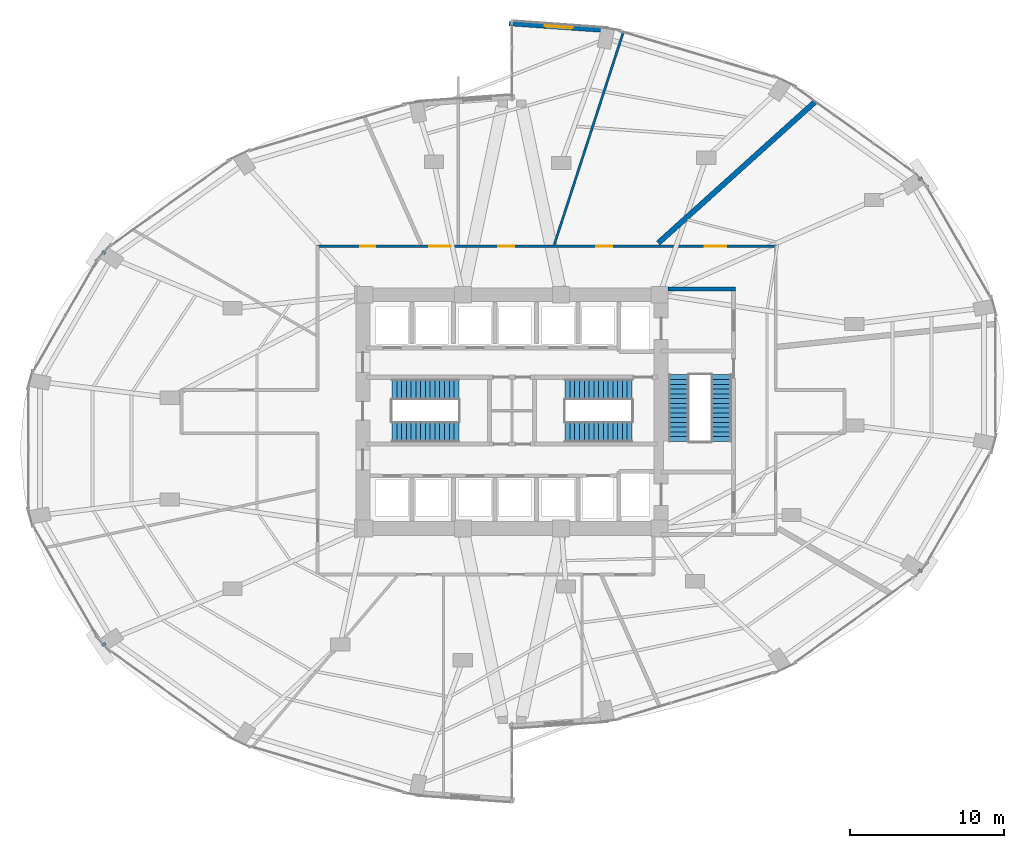
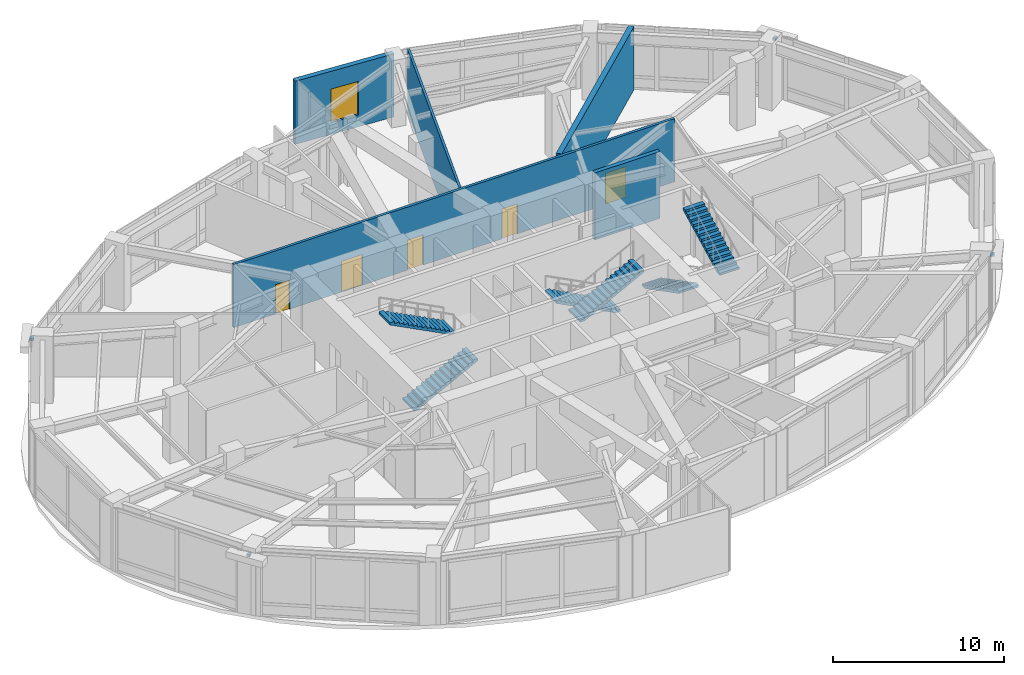
# One storey, part 23 of 24: 6 stair flights, 5 doors, 5 walls, 4 discrete accessories, 1 window, 6 openings, 3 elements without a shape of their own.
"""IFC4 building model written with IfcOpenShell, lengths in metres."""

from ifc_helpers import new_model, si_unit, direction, frame, frame_2d, origin, origin_2d, place, context, subcontext, project, spatial, polyline, rectangle, outline, extrude, material, layer, layer_set, type_object, element, fill, aggregate, save


model = new_model("IFC4")

# Units and contexts
model_context = context("Model", 3, precision=1e-05, world=origin(), true_north=direction((0.0, 1.0)))
body_context = subcontext(model_context, "Body", "Model", "MODEL_VIEW")
ifc_project = project(units=[si_unit("LENGTHUNIT", "METRE"), si_unit("AREAUNIT", "SQUARE_METRE"), si_unit("VOLUMEUNIT", "CUBIC_METRE"), si_unit("PLANEANGLEUNIT", "RADIAN"), si_unit("MASSUNIT", "GRAM", prefix="KILO")], contexts=[model_context])

# Site, building, storey
site_placement = place(None, origin())
site = spatial("IfcSite", under=ifc_project, at=site_placement, CompositionType="ELEMENT")
building_placement = place(site_placement, origin())
building = spatial("IfcBuilding", under=site, at=building_placement, Name="Lazwardi Medical Tower", CompositionType="ELEMENT")
storey_placement = place(building_placement, frame((0.0, 0.0, 10.800048828125)))
storey = spatial("IfcBuildingStorey", under=building, at=storey_placement, Name="L02", CompositionType="ELEMENT", Elevation=10.800048828125)

# Wall, openings, doors
ifc_material_1 = material(Name="Fire-rated gypsum board on steel stud", Category="steel")
ifc_layer_1 = layer(ifc_material_1, 0.179931640625)
ifc_layer_set_1 = layer_set([ifc_layer_1], Name="Fire-rated gypsum board on steel stud")
wall_type_1 = type_object("IfcWallType", Name="WL-COR-180", PredefinedType="PARTITIONING", material=ifc_layer_set_1)
wall_1_placement = place(storey_placement, frame((23.31005859375, 38.75, 0.0), z_axis=(0.0, 0.0, 1.0), x_axis=(1.0, 0.0, 0.0)))
wall_1 = element("IfcWall", 1, at=wall_1_placement, inside=storey, type_object=wall_type_1, Name="L02 Corridor partition 4", PredefinedType="PARTITIONING", context=body_context, shape_type="SweptSolid", body=[
    extrude(rectangle(XDim=29.8798828125, YDim=0.179931640625, at=frame_2d((14.93994140625, 0.0))), origin(), (0.0, 0.0, 1.0), 4.52001953125),
])
opening_1_placement = place(wall_1_placement, frame((25.211181640625, 0.0, 0.0)))
opening_1 = element("IfcOpeningElement", 2, at=opening_1_placement, cuts=wall_1, Name="Opening D-L02-015", PredefinedType="OPENING", context=body_context, shape_type="SweptSolid", body=[
    extrude(rectangle(XDim=1.39990234375, YDim=2.199951171875, at=frame_2d((0.699951171875, 1.10009765625))), frame((0.0, 0.099853515625, 0.0), z_axis=(0.0, -1.0, 0.0), x_axis=(1.0, 0.0, 0.0)), (0.0, 0.0, 1.0), 0.199951171875),
])
opening_2_placement = place(wall_1_placement, frame((18.157958984375, 0.0, 0.0)))
opening_2 = element("IfcOpeningElement", 3, at=opening_2_placement, cuts=wall_1, Name="Opening D-L02-016", PredefinedType="OPENING", context=body_context, shape_type="SweptSolid", body=[
    extrude(rectangle(XDim=1.050048828125, YDim=2.14990234375, at=frame_2d((0.52490234375, 1.074951171875))), frame((0.0, 0.099853515625, 0.0), z_axis=(0.0, -1.0, 0.0), x_axis=(1.0, 0.0, 0.0)), (0.0, 0.0, 1.0), 0.199951171875),
])
opening_3_placement = place(wall_1_placement, frame((11.784912109375, 0.0, 0.0)))
opening_3 = element("IfcOpeningElement", 4, at=opening_3_placement, cuts=wall_1, Name="Opening D-L02-017", PredefinedType="OPENING", context=body_context, shape_type="SweptSolid", body=[
    extrude(rectangle(XDim=1.050048828125, YDim=2.14990234375, at=frame_2d((0.52490234375, 1.074951171875))), frame((0.0, 0.099853515625, 0.0), z_axis=(0.0, -1.0, 0.0), x_axis=(1.0, 0.0, 0.0)), (0.0, 0.0, 1.0), 0.199951171875),
])
opening_4_placement = place(wall_1_placement, frame((7.314208984375, 0.0, 0.0)))
opening_4 = element("IfcOpeningElement", 5, at=opening_4_placement, cuts=wall_1, Name="Opening D-L02-018", PredefinedType="OPENING", context=body_context, shape_type="SweptSolid", body=[
    extrude(rectangle(XDim=1.39990234375, YDim=2.199951171875, at=frame_2d((0.699951171875, 1.10009765625))), frame((0.0, 0.099853515625, 0.0), z_axis=(0.0, -1.0, 0.0), x_axis=(1.0, 0.0, 0.0)), (0.0, 0.0, 1.0), 0.199951171875),
])
opening_5_placement = place(wall_1_placement, frame((2.832275390625, 0.0, 0.0)))
opening_5 = element("IfcOpeningElement", 6, at=opening_5_placement, cuts=wall_1, Name="Opening D-L02-019", PredefinedType="OPENING", context=body_context, shape_type="SweptSolid", body=[
    extrude(rectangle(XDim=0.949951171875, YDim=2.10009765625, at=frame_2d((0.47509765625, 1.050048828125))), frame((0.0, 0.099853515625, 0.0), z_axis=(0.0, -1.0, 0.0), x_axis=(1.0, 0.0, 0.0)), (0.0, 0.0, 1.0), 0.199951171875),
])
ifc_material_2 = material(Name="Anti-microbial laminate hospital leaf")
door_type_1 = type_object("IfcDoorType", Name="DR-BED-1400", OperationType="NOTDEFINED", PredefinedType="DOOR", material=ifc_material_2)
door_1_placement = place(opening_1_placement, origin())
door_1 = element("IfcDoor", 7, at=door_1_placement, inside=storey, type_object=door_type_1, Name="L02 Family Waiting Lounge Door 07", OperationType="SINGLE_SWING_LEFT", OverallHeight=2.199951171875, OverallWidth=1.39990234375, PredefinedType="DOOR", context=body_context, shape_type="SweptSolid", body=[
    extrude(rectangle(XDim=1.39990234375, YDim=2.199951171875, at=frame_2d((0.699951171875, 1.10009765625))), frame((0.0, 0.02490234375, 0.0), z_axis=(0.0, -1.0, 0.0), x_axis=(1.0, 0.0, 0.0)), (0.0, 0.0, 1.0), 0.050048828125),
])
fill(opening_1, door_1)
door_2_placement = place(opening_4_placement, origin())
door_2 = element("IfcDoor", 8, at=door_2_placement, inside=storey, type_object=door_type_1, Name="L02 Emergency Trauma Resuscitation Door 10", OperationType="SINGLE_SWING_RIGHT", OverallHeight=2.199951171875, OverallWidth=1.39990234375, PredefinedType="DOOR", context=body_context, shape_type="SweptSolid", body=[
    extrude(rectangle(XDim=1.39990234375, YDim=2.199951171875, at=frame_2d((0.699951171875, 1.10009765625))), frame((0.0, 0.02490234375, 0.0), z_axis=(0.0, -1.0, 0.0), x_axis=(1.0, 0.0, 0.0)), (0.0, 0.0, 1.0), 0.050048828125),
])
fill(opening_4, door_2)
door_type_2 = type_object("IfcDoorType", Name="DR-CLN-1050", OperationType="NOTDEFINED", PredefinedType="DOOR", material=ifc_material_2)
door_3_placement = place(opening_2_placement, origin())
door_3 = element("IfcDoor", 9, at=door_3_placement, inside=storey, type_object=door_type_2, Name="L02 Clean Utility Room Door 08", OperationType="SINGLE_SWING_RIGHT", OverallHeight=2.14990234375, OverallWidth=1.050048828125, PredefinedType="DOOR", context=body_context, shape_type="SweptSolid", body=[
    extrude(rectangle(XDim=1.050048828125, YDim=2.14990234375, at=frame_2d((0.52490234375, 1.074951171875))), frame((0.0, 0.02490234375, 0.0), z_axis=(0.0, -1.0, 0.0), x_axis=(1.0, 0.0, 0.0)), (0.0, 0.0, 1.0), 0.050048828125),
])
fill(opening_2, door_3)
door_4_placement = place(opening_3_placement, origin())
door_4 = element("IfcDoor", 10, at=door_4_placement, inside=storey, type_object=door_type_2, Name="L02 Clean Utility Room Door 09", OperationType="SINGLE_SWING_LEFT", OverallHeight=2.14990234375, OverallWidth=1.050048828125, PredefinedType="DOOR", context=body_context, shape_type="SweptSolid", body=[
    extrude(rectangle(XDim=1.050048828125, YDim=2.14990234375, at=frame_2d((0.52490234375, 1.074951171875))), frame((0.0, 0.02490234375, 0.0), z_axis=(0.0, -1.0, 0.0), x_axis=(1.0, 0.0, 0.0)), (0.0, 0.0, 1.0), 0.050048828125),
])
fill(opening_3, door_4)
ifc_material_3 = material(Name="Moisture-resistant laminate door leaf")
door_type_3 = type_object("IfcDoorType", Name="DR-ENS-950", OperationType="NOTDEFINED", PredefinedType="DOOR", material=ifc_material_3)
door_5_placement = place(opening_5_placement, origin())
door_5 = element("IfcDoor", 11, at=door_5_placement, inside=storey, type_object=door_type_3, Name="L02 Diagnostic Imaging Suite Door 11", OperationType="SINGLE_SWING_LEFT", OverallHeight=2.10009765625, OverallWidth=0.949951171875, PredefinedType="DOOR", context=body_context, shape_type="SweptSolid", body=[
    extrude(rectangle(XDim=0.949951171875, YDim=2.10009765625, at=frame_2d((0.47509765625, 1.050048828125))), frame((0.0, 0.02490234375, 0.0), z_axis=(0.0, -1.0, 0.0), x_axis=(1.0, 0.0, 0.0)), (0.0, 0.0, 1.0), 0.050048828125),
])
fill(opening_5, door_5)

# Wall, opening, window
ifc_material_4 = material(Name="Precast concrete C45/55", Category="concrete")
ifc_layer_2 = layer(ifc_material_4, 0.320068359375)
ifc_layer_set_2 = layer_set([ifc_layer_2], Name="Precast concrete C45/55")
wall_type_2 = type_object("IfcWallType", Name="WL-IWAN-320", PredefinedType="SOLIDWALL", material=ifc_layer_set_2)
wall_2_placement = place(storey_placement, frame((42.26171875, 52.797607421875, 0.0), z_axis=(0.0, 0.0, 1.0), x_axis=(-0.99751367159, 0.070473221795, 0.0)))
wall_2 = element("IfcWall", 12, at=wall_2_placement, inside=storey, type_object=wall_type_2, Name="L02 Iwan Portal Return Wall NE_ret", PredefinedType="SOLIDWALL", context=body_context, shape_type="SweptSolid", body=[
    extrude(rectangle(XDim=6.45751953125, YDim=0.320068359375, at=frame_2d((3.228759765625, 0.0))), origin(), (0.0, 0.0, 1.0), 4.52001953125),
])
opening_6_placement = place(wall_2_placement, frame((2.32861328125, 0.0, 0.85009765625)))
opening_6 = element("IfcOpeningElement", 13, at=opening_6_placement, cuts=wall_2, Name="Opening WN-03", PredefinedType="OPENING", context=body_context, shape_type="SweptSolid", body=[
    extrude(rectangle(XDim=1.800048828125, YDim=2.39990234375, at=frame_2d((0.89990234375, 1.199951171875))), frame((0.0, 0.169921875, 0.0), z_axis=(0.0, -1.0, 0.0), x_axis=(1.0, 0.0, 0.0)), (0.0, 0.0, 1.0), 0.340087890625),
])
ifc_material_5 = material(Name="Laminated acoustic bronze double glazing", Category="glass")
window_type = type_object("IfcWindowType", Name="WIN-POD-1800", PartitioningType="SINGLE_PANEL", PredefinedType="WINDOW", material=ifc_material_5)
window_placement = place(opening_6_placement, origin())
window = element("IfcWindow", 14, at=window_placement, inside=storey, type_object=window_type, Name="L02 Iwan Slot Window NE_ret", OverallHeight=2.39990234375, OverallWidth=1.800048828125, PartitioningType="SINGLE_PANEL", PredefinedType="WINDOW", context=body_context, shape_type="SweptSolid", body=[
    extrude(rectangle(XDim=1.800048828125, YDim=2.39990234375, at=frame_2d((0.89990234375, 1.199951171875))), frame((0.0, 0.030029296875, 0.0), z_axis=(0.0, -1.0, 0.0), x_axis=(1.0, 0.0, 0.0)), (0.0, 0.0, 1.0), 0.06005859375),
])
fill(opening_6, window)

# Walls
ifc_material_6 = material(Name="Lead-lined barium plaster blockwork", Category="masonry")
ifc_layer_3 = layer(ifc_material_6, 0.35009765625)
ifc_layer_set_3 = layer_set([ifc_layer_3], Name="Lead-lined barium plaster blockwork")
wall_type_3 = type_object("IfcWallType", Name="WL-RAD-350", PredefinedType="SOLIDWALL", material=ifc_layer_set_3)
wall_3_placement = place(storey_placement, frame((45.50927734375, 38.962158203125, 0.0), z_axis=(0.0, 0.0, 1.0), x_axis=(0.743143036481, 0.669132593236, 0.0)))
element("IfcWall", 15, at=wall_3_placement, inside=storey, type_object=wall_type_3, Name="L02 Room partition 4", PredefinedType="SOLIDWALL", context=body_context, shape_type="SweptSolid", body=[
    extrude(rectangle(XDim=13.7392578125, YDim=0.35009765625, at=frame_2d((6.86962890625, 0.0))), origin(), (0.0, 0.0, 1.0), 4.52001953125),
])
ifc_material_7 = material(Name="Concrete C50/60", Category="concrete")
ifc_layer_4 = layer(ifc_material_7, 0.27001953125)
ifc_layer_set_4 = layer_set([ifc_layer_4], Name="Concrete C50/60")
wall_type_4 = type_object("IfcWallType", Name="WL-STR-250", PredefinedType="SHEAR", material=ifc_layer_set_4)
wall_4_placement = place(storey_placement, frame((46.14990234375, 35.97998046875, 0.0), z_axis=(0.0, 0.0, 1.0), x_axis=(1.0, 0.0, 0.0)))
element("IfcWall", 16, at=wall_4_placement, inside=storey, type_object=wall_type_4, Name="L02 FFL-N North shear wall SW-S1", PredefinedType="SHEAR", context=body_context, shape_type="SweptSolid", body=[
    extrude(rectangle(XDim=4.400146484375, YDim=0.27001953125, at=frame_2d((2.2001953125, 0.0))), origin(), (0.0, 0.0, 1.0), 4.800048828125),
])
ifc_material_8 = material(Name="Acoustic gypsum board partition")
ifc_layer_5 = layer(ifc_material_8, 0.14990234375)
ifc_layer_set_5 = layer_set([ifc_layer_5], Name="Acoustic gypsum board partition")
wall_type_5 = type_object("IfcWallType", Name="WL-WRD-150", PredefinedType="PARTITIONING", material=ifc_layer_set_5)
wall_5_placement = place(storey_placement, frame((38.74951171875, 38.862060546875, 0.0), z_axis=(0.0, 0.0, 1.0), x_axis=(0.309009259577, 0.951059029449, 0.0)))
element("IfcWall", 17, at=wall_5_placement, inside=storey, type_object=wall_type_5, Name="L02 Room partition 5", PredefinedType="PARTITIONING", context=body_context, shape_type="SweptSolid", body=[
    extrude(rectangle(XDim=14.517578125, YDim=0.14990234375, at=frame_2d((7.2587890625, 0.0))), origin(), (0.0, 0.0, 1.0), 4.52001953125),
])

# Stair, stair flights
ifc_material_9 = material(Name="Concrete C45/55", Category="concrete")
stair_type = type_object("IfcStairType", Name="STR-POD", PredefinedType="HALF_TURN_STAIR", material=ifc_material_9)
stair_1_placement = place(storey_placement, origin())
stair_1 = element("IfcStair", 18, at=stair_1_placement, inside=storey, type_object=stair_type, Name="L02 Protected Exit Stair ST1", PredefinedType="HALF_TURN_STAIR")
stair_flight_type = type_object("IfcStairFlightType", Name="FLT-POD", PredefinedType="STRAIGHT", material=ifc_material_9)
stair_flight_1_placement = place(storey_placement, frame((28.199951171875, 26.679931640625, 0.0), z_axis=(0.0, 0.0, 1.0), x_axis=(1.0, 0.0, 0.0)))
stair_flight_1 = element("IfcStairFlight", 19, at=stair_flight_1_placement, type_object=stair_flight_type, Name="ST1 flight 1", NumberOfRisers=15, NumberOfTreads=14, PredefinedType="STRAIGHT", RiserHeight=0.16, TreadLength=0.31, context=body_context, shape_type="SweptSolid", body=[
    extrude(outline(polyline([(0.0, 0.0), (0.0, 0.159912109375), (0.31005859375, 0.159912109375), (0.31005859375, 0.320068359375), (0.6201171875, 0.320068359375), (0.6201171875, 0.47998046875), (0.929931640625, 0.47998046875), (0.929931640625, 0.639892578125), (1.239990234375, 0.639892578125), (1.239990234375, 0.800048828125), (1.550048828125, 0.800048828125), (1.550048828125, 0.9599609375), (1.860107421875, 0.9599609375), (1.860107421875, 1.1201171875), (2.169921875, 1.1201171875), (2.169921875, 1.280029296875), (2.47998046875, 1.280029296875), (2.47998046875, 1.43994140625), (2.7900390625, 1.43994140625), (2.7900390625, 1.60009765625), (3.10009765625, 1.60009765625), (3.10009765625, 1.760009765625), (3.409912109375, 1.760009765625), (3.409912109375, 1.919921875), (3.719970703125, 1.919921875), (3.719970703125, 2.080078125), (4.030029296875, 2.080078125), (4.030029296875, 2.239990234375), (4.340087890625, 2.239990234375), (4.340087890625, 2.39990234375), (4.340087890625, 2.0712890625), (0.326904296875, 0.0), (0.0, 0.0)])), frame((0.0, 0.66015625, 0.0), z_axis=(0.0, -1.0, 0.0), x_axis=(1.0, 0.0, 0.0)), (0.0, 0.0, 1.0), 1.320068359375),
])
stair_flight_2_placement = place(storey_placement, frame((32.5400390625, 29.43994140625, 2.39990234375), z_axis=(0.0, 0.0, 1.0), x_axis=(-1.0, 0.0, 0.0)))
stair_flight_2 = element("IfcStairFlight", 20, at=stair_flight_2_placement, type_object=stair_flight_type, Name="ST1 flight 2", NumberOfRisers=15, NumberOfTreads=14, PredefinedType="STRAIGHT", RiserHeight=0.16, TreadLength=0.31, context=body_context, shape_type="SweptSolid", body=[
    extrude(outline(polyline([(0.0, 0.0), (0.0, 0.159912109375), (0.31005859375, 0.159912109375), (0.31005859375, 0.320068359375), (0.6201171875, 0.320068359375), (0.6201171875, 0.47998046875), (0.929931640625, 0.47998046875), (0.929931640625, 0.639892578125), (1.239990234375, 0.639892578125), (1.239990234375, 0.800048828125), (1.550048828125, 0.800048828125), (1.550048828125, 0.9599609375), (1.860107421875, 0.9599609375), (1.860107421875, 1.1201171875), (2.169921875, 1.1201171875), (2.169921875, 1.280029296875), (2.47998046875, 1.280029296875), (2.47998046875, 1.43994140625), (2.7900390625, 1.43994140625), (2.7900390625, 1.60009765625), (3.10009765625, 1.60009765625), (3.10009765625, 1.760009765625), (3.409912109375, 1.760009765625), (3.409912109375, 1.919921875), (3.719970703125, 1.919921875), (3.719970703125, 2.080078125), (4.030029296875, 2.080078125), (4.030029296875, 2.239990234375), (4.340087890625, 2.239990234375), (4.340087890625, 2.39990234375), (4.340087890625, 2.0712890625), (0.326904296875, 0.0), (0.0, 0.0)])), frame((0.0, 0.66015625, 0.0), z_axis=(0.0, -1.0, 0.0), x_axis=(1.0, 0.0, 0.0)), (0.0, 0.0, 1.0), 1.320068359375),
])
aggregate(stair_1, [stair_flight_1, stair_flight_2])

stair_2_placement = place(storey_placement, origin())
stair_2 = element("IfcStair", 21, at=stair_2_placement, inside=storey, type_object=stair_type, Name="L02 Protected Exit Stair ST2", PredefinedType="HALF_TURN_STAIR")
stair_flight_3_placement = place(storey_placement, frame((43.800048828125, 29.43994140625, 0.0), z_axis=(0.0, 0.0, 1.0), x_axis=(-1.0, 0.0, 0.0)))
stair_flight_3 = element("IfcStairFlight", 22, at=stair_flight_3_placement, type_object=stair_flight_type, Name="ST2 flight 1", NumberOfRisers=15, NumberOfTreads=14, PredefinedType="STRAIGHT", RiserHeight=0.16, TreadLength=0.31, context=body_context, shape_type="SweptSolid", body=[
    extrude(outline(polyline([(0.0, 0.0), (0.0, 0.159912109375), (0.31005859375, 0.159912109375), (0.31005859375, 0.320068359375), (0.6201171875, 0.320068359375), (0.6201171875, 0.47998046875), (0.929931640625, 0.47998046875), (0.929931640625, 0.639892578125), (1.239990234375, 0.639892578125), (1.239990234375, 0.800048828125), (1.550048828125, 0.800048828125), (1.550048828125, 0.9599609375), (1.860107421875, 0.9599609375), (1.860107421875, 1.1201171875), (2.169921875, 1.1201171875), (2.169921875, 1.280029296875), (2.47998046875, 1.280029296875), (2.47998046875, 1.43994140625), (2.7900390625, 1.43994140625), (2.7900390625, 1.60009765625), (3.10009765625, 1.60009765625), (3.10009765625, 1.760009765625), (3.409912109375, 1.760009765625), (3.409912109375, 1.919921875), (3.719970703125, 1.919921875), (3.719970703125, 2.080078125), (4.030029296875, 2.080078125), (4.030029296875, 2.239990234375), (4.340087890625, 2.239990234375), (4.340087890625, 2.39990234375), (4.340087890625, 2.0712890625), (0.326904296875, 0.0), (0.0, 0.0)])), frame((0.0, 0.66015625, 0.0), z_axis=(0.0, -1.0, 0.0), x_axis=(1.0, 0.0, 0.0)), (0.0, 0.0, 1.0), 1.320068359375),
])
stair_flight_4_placement = place(storey_placement, frame((39.4599609375, 26.679931640625, 2.39990234375), z_axis=(0.0, 0.0, 1.0), x_axis=(1.0, 0.0, 0.0)))
stair_flight_4 = element("IfcStairFlight", 23, at=stair_flight_4_placement, type_object=stair_flight_type, Name="ST2 flight 2", NumberOfRisers=15, NumberOfTreads=14, PredefinedType="STRAIGHT", RiserHeight=0.16, TreadLength=0.31, context=body_context, shape_type="SweptSolid", body=[
    extrude(outline(polyline([(0.0, 0.0), (0.0, 0.159912109375), (0.31005859375, 0.159912109375), (0.31005859375, 0.320068359375), (0.6201171875, 0.320068359375), (0.6201171875, 0.47998046875), (0.929931640625, 0.47998046875), (0.929931640625, 0.639892578125), (1.239990234375, 0.639892578125), (1.239990234375, 0.800048828125), (1.550048828125, 0.800048828125), (1.550048828125, 0.9599609375), (1.860107421875, 0.9599609375), (1.860107421875, 1.1201171875), (2.169921875, 1.1201171875), (2.169921875, 1.280029296875), (2.47998046875, 1.280029296875), (2.47998046875, 1.43994140625), (2.7900390625, 1.43994140625), (2.7900390625, 1.60009765625), (3.10009765625, 1.60009765625), (3.10009765625, 1.760009765625), (3.409912109375, 1.760009765625), (3.409912109375, 1.919921875), (3.719970703125, 1.919921875), (3.719970703125, 2.080078125), (4.030029296875, 2.080078125), (4.030029296875, 2.239990234375), (4.340087890625, 2.239990234375), (4.340087890625, 2.39990234375), (4.340087890625, 2.0712890625), (0.326904296875, 0.0), (0.0, 0.0)])), frame((0.0, 0.66015625, 0.0), z_axis=(0.0, -1.0, 0.0), x_axis=(1.0, 0.0, 0.0)), (0.0, 0.0, 1.0), 1.320068359375),
])
aggregate(stair_2, [stair_flight_3, stair_flight_4])

stair_3_placement = place(storey_placement, origin())
stair_3 = element("IfcStair", 24, at=stair_3_placement, inside=storey, type_object=stair_type, Name="L02 Protected Exit Stair ST3", PredefinedType="HALF_TURN_STAIR")
stair_flight_5_placement = place(storey_placement, frame((46.860107421875, 30.39990234375, 0.0), z_axis=(0.0, 0.0, 1.0), x_axis=(0.0, -1.0, 0.0)))
stair_flight_5 = element("IfcStairFlight", 25, at=stair_flight_5_placement, type_object=stair_flight_type, Name="ST3 flight 1", NumberOfRisers=15, NumberOfTreads=14, PredefinedType="STRAIGHT", RiserHeight=0.16, TreadLength=0.31, context=body_context, shape_type="SweptSolid", body=[
    extrude(outline(polyline([(0.0, 0.0), (0.0, 0.159912109375), (0.31005859375, 0.159912109375), (0.31005859375, 0.320068359375), (0.6201171875, 0.320068359375), (0.6201171875, 0.47998046875), (0.929931640625, 0.47998046875), (0.929931640625, 0.639892578125), (1.239990234375, 0.639892578125), (1.239990234375, 0.800048828125), (1.550048828125, 0.800048828125), (1.550048828125, 0.9599609375), (1.860107421875, 0.9599609375), (1.860107421875, 1.1201171875), (2.169921875, 1.1201171875), (2.169921875, 1.280029296875), (2.47998046875, 1.280029296875), (2.47998046875, 1.43994140625), (2.7900390625, 1.43994140625), (2.7900390625, 1.60009765625), (3.10009765625, 1.60009765625), (3.10009765625, 1.760009765625), (3.409912109375, 1.760009765625), (3.409912109375, 1.919921875), (3.719970703125, 1.919921875), (3.719970703125, 2.080078125), (4.030029296875, 2.080078125), (4.030029296875, 2.239990234375), (4.340087890625, 2.239990234375), (4.340087890625, 2.39990234375), (4.340087890625, 2.0712890625), (0.326904296875, 0.0), (0.0, 0.0)])), frame((0.0, 0.66015625, 0.0), z_axis=(0.0, -1.0, 0.0), x_axis=(1.0, 0.0, 0.0)), (0.0, 0.0, 1.0), 1.320068359375),
])
stair_flight_6_placement = place(storey_placement, frame((49.6201171875, 26.06005859375, 2.39990234375), z_axis=(0.0, 0.0, 1.0), x_axis=(0.0, 1.0, 0.0)))
stair_flight_6 = element("IfcStairFlight", 26, at=stair_flight_6_placement, type_object=stair_flight_type, Name="ST3 flight 2", NumberOfRisers=15, NumberOfTreads=14, PredefinedType="STRAIGHT", RiserHeight=0.16, TreadLength=0.31, context=body_context, shape_type="SweptSolid", body=[
    extrude(outline(polyline([(0.0, 0.0), (0.0, 0.159912109375), (0.31005859375, 0.159912109375), (0.31005859375, 0.320068359375), (0.6201171875, 0.320068359375), (0.6201171875, 0.47998046875), (0.929931640625, 0.47998046875), (0.929931640625, 0.639892578125), (1.239990234375, 0.639892578125), (1.239990234375, 0.800048828125), (1.550048828125, 0.800048828125), (1.550048828125, 0.9599609375), (1.860107421875, 0.9599609375), (1.860107421875, 1.1201171875), (2.169921875, 1.1201171875), (2.169921875, 1.280029296875), (2.47998046875, 1.280029296875), (2.47998046875, 1.43994140625), (2.7900390625, 1.43994140625), (2.7900390625, 1.60009765625), (3.10009765625, 1.60009765625), (3.10009765625, 1.760009765625), (3.409912109375, 1.760009765625), (3.409912109375, 1.919921875), (3.719970703125, 1.919921875), (3.719970703125, 2.080078125), (4.030029296875, 2.080078125), (4.030029296875, 2.239990234375), (4.340087890625, 2.239990234375), (4.340087890625, 2.39990234375), (4.340087890625, 2.0712890625), (0.326904296875, 0.0), (0.0, 0.0)])), frame((0.0, 0.66015625, 0.0), z_axis=(0.0, -1.0, 0.0), x_axis=(1.0, 0.0, 0.0)), (0.0, 0.0, 1.0), 1.320068359375),
])
aggregate(stair_3, [stair_flight_5, stair_flight_6])

# Discrete accessories
ifc_material_10 = material(Name="Steel S355", Category="steel")
discrete_accessory_type = type_object("IfcDiscreteAccessoryType", Name="ACC-BRK-01", PredefinedType="BRACKET", material=ifc_material_10)
for number, where, z_axis, x_axis, name in (
    (27, (62.55712890625, 17.6552734375, 4.18017578125), (0.0, 0.0, 1.0), (0.55557023302, 0.831469612303, 0.0), "L02 Podium Sunshade Bracket 1"),
    (28, (62.55712890625, 43.144775390625, 4.18017578125), (0.0, 0.0, 1.0), (-0.55557023302, 0.831469612303, 0.0), "L02 Podium Sunshade Bracket 2"),
    (29, (9.44287109375, 38.3447265625, 4.18017578125), (0.0, 0.0, 1.0), (-0.55557023302, -0.831469612303, 0.0), "L02 Podium Sunshade Bracket 3"),
    (30, (9.44287109375, 12.855224609375, 4.18017578125), (0.0, 0.0, 1.0), (0.55557023302, -0.831469612303, 0.0), "L02 Podium Sunshade Bracket 4"),
):
    element("IfcDiscreteAccessory", number, at=place(storey_placement, frame(where, z_axis=z_axis, x_axis=x_axis)), inside=storey, type_object=discrete_accessory_type, Name=name, PredefinedType="BRACKET", context=body_context, shape_type="SweptSolid", body=[
        extrude(rectangle(XDim=0.179931640625, YDim=0.25, at=origin_2d()), origin(), (0.0, 0.0, 1.0), 0.179931640625),
    ])

save(model, "model.ifc")
